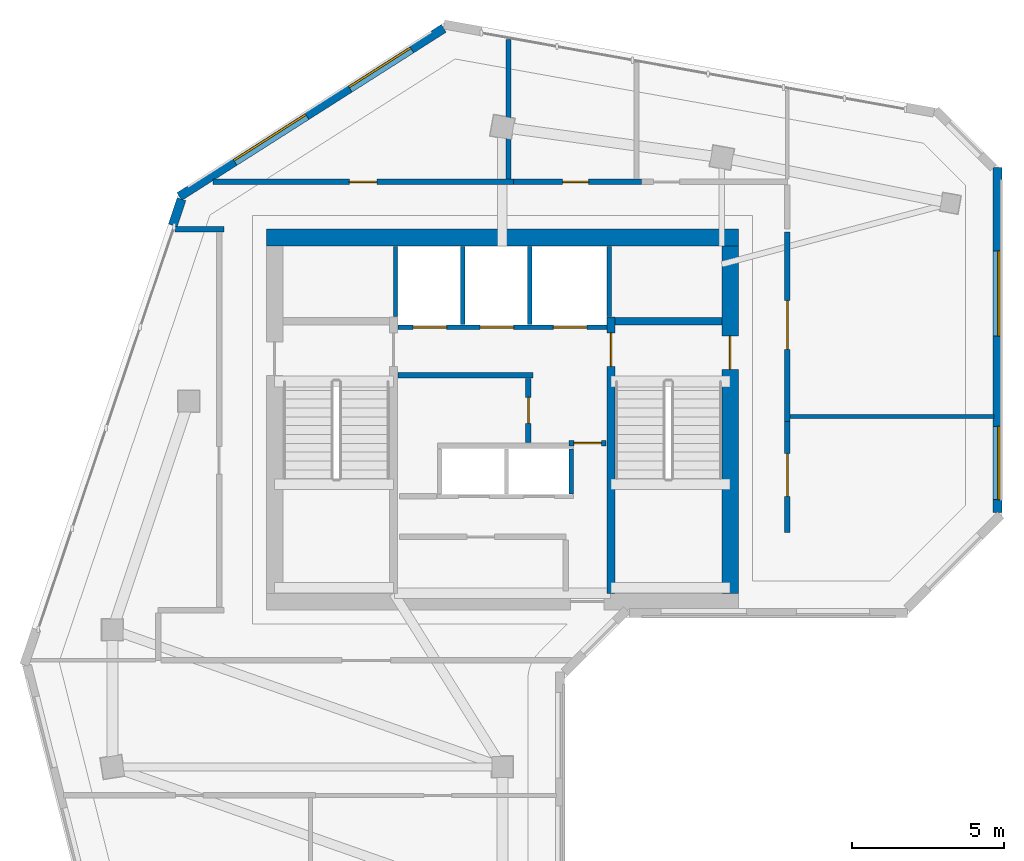
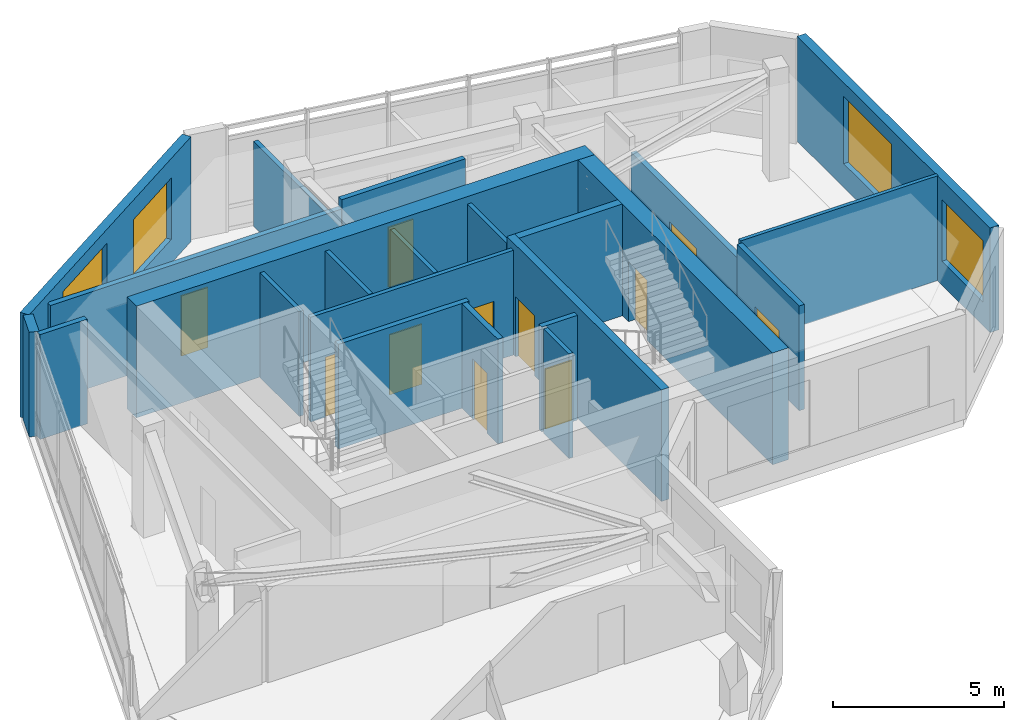
# One storey, part 4 of 8: 23 walls, 11 doors, 4 windows, 15 openings.
"""IFC4 building model written with IfcOpenShell, lengths in metres."""

from ifc_helpers import new_model, si_unit, direction, frame, frame_2d, origin, place, context, subcontext, project, spatial, rectangle, extrude, source, transform, mapped, material, layer, layer_set, type_object, element, fill, save


model = new_model("IFC4")

# Units and contexts
model_context = context("Model", 3, precision=1e-05, world=origin(), true_north=direction((0.0, 1.0)))
body_context = subcontext(model_context, "Body", "Model", "MODEL_VIEW")
ifc_project = project(units=[si_unit("LENGTHUNIT", "METRE"), si_unit("AREAUNIT", "SQUARE_METRE"), si_unit("VOLUMEUNIT", "CUBIC_METRE"), si_unit("PLANEANGLEUNIT", "RADIAN"), si_unit("MASSUNIT", "GRAM", prefix="KILO")], contexts=[model_context])

# Site, building, storey
site_placement = place(None, origin())
site = spatial("IfcSite", under=ifc_project, at=site_placement, CompositionType="ELEMENT")
building_placement = place(site_placement, origin())
building = spatial("IfcBuilding", under=site, at=building_placement, Name="Calvemar Wedge Station Tower", CompositionType="ELEMENT")
storey_placement = place(building_placement, frame((0.0, 0.0, 296.5)))
storey = spatial("IfcBuildingStorey", under=building, at=storey_placement, Name="L76", CompositionType="ELEMENT", Elevation=296.5)

# Wall, opening, door
ifc_material_1 = material(Name="Concrete C50", Category="concrete")
ifc_layer_1 = layer(ifc_material_1, 0.260009765625)
ifc_layer_set_1 = layer_set([ifc_layer_1], Name="Concrete C50")
wall_type_1 = type_object("IfcWallType", Name="SW-CORE-260", PredefinedType="SHEAR", material=ifc_layer_set_1)
wall_1_placement = place(storey_placement, frame((27.3701171875, 34.199951171875, 0.0), z_axis=(0.0, 0.0, 1.0), x_axis=(0.0, 1.0, 0.0)))
wall_1 = element("IfcWall", 1, at=wall_1_placement, inside=storey, type_object=wall_type_1, Name="Storey L76 Core Shear Wall SPINE-E", PredefinedType="SHEAR", context=body_context, shape_type="SweptSolid", body=[
    extrude(rectangle(XDim=9.06005859375, YDim=0.260009765625, at=frame_2d((4.530029296875, 0.0))), origin(), (0.0, 0.0, 1.0), 4.0),
])
shared_shape_1 = source(origin(), body_context, "Body", "SweptSolid", [
    extrude(rectangle(XDim=1.10009765625, YDim=2.14990234375, at=frame_2d((0.550048828125, 1.074951171875))), frame((0.0, 0.14013671875, 0.0), z_axis=(0.0, -1.0, 0.0), x_axis=(1.0, 0.0, 0.0)), (0.0, 0.0, 1.0), 0.280029296875),
])
opening_1_placement = place(wall_1_placement, frame((7.449951171875, 0.0, 0.0)))
opening_1 = element("IfcOpeningElement", 2, at=opening_1_placement, cuts=wall_1, Name="Opening FD-90", PredefinedType="OPENING", context=body_context, shape_type="MappedRepresentation", body=[
    mapped(shared_shape_1, transform((0.0, 0.0, 0.0), scale=1.0)),
])
ifc_material_2 = material(Name="Galvanized fire-rated steel door leaf P-90", Category="steel")
door_type_1 = type_object("IfcDoorType", Name="DR-FD90-1100", OperationType="NOTDEFINED", PredefinedType="DOOR", material=ifc_material_2)
shared_shape_2 = source(origin(), body_context, "Body", "SweptSolid", [
    extrude(rectangle(XDim=1.10009765625, YDim=2.14990234375, at=frame_2d((0.550048828125, 1.074951171875))), frame((0.0, 0.02490234375, 0.0), z_axis=(0.0, -1.0, 0.0), x_axis=(1.0, 0.0, 0.0)), (0.0, 0.0, 1.0), 0.050048828125),
])
door_1_placement = place(opening_1_placement, origin())
door_1 = element("IfcDoor", 3, at=door_1_placement, inside=storey, type_object=door_type_1, Name="L76 FF Lobby to Stair ST-C2 Door", OperationType="SINGLE_SWING_LEFT", OverallHeight=2.14990234375, OverallWidth=1.10009765625, PredefinedType="DOOR", context=body_context, shape_type="MappedRepresentation", body=[
    mapped(shared_shape_2, transform((0.0, 0.0, 0.0), scale=1.0)),
])
fill(opening_1, door_1)

# Walls
wall_2_placement = place(storey_placement, frame((27.5, 43.1298828125, 0.0), z_axis=(0.0, 0.0, 1.0), x_axis=(1.0, 0.0, 0.0)))
element("IfcWall", 4, at=wall_2_placement, inside=storey, type_object=wall_type_1, Name="Storey L76 Core Shear Wall STC2-N", PredefinedType="SHEAR", context=body_context, shape_type="SweptSolid", body=[
    extrude(rectangle(XDim=3.5, YDim=0.260009765625, at=frame_2d((1.75, 0.0))), origin(), (0.0, 0.0, 1.0), 4.0),
])
ifc_material_3 = material(Name="Concrete C60", Category="concrete")
ifc_layer_2 = layer(ifc_material_3, 0.550048828125)
ifc_layer_set_2 = layer_set([ifc_layer_2], Name="Concrete C60")
wall_type_2 = type_object("IfcWallType", Name="SW-CORE-550", PredefinedType="SHEAR", material=ifc_layer_set_2)
wall_3_placement = place(storey_placement, frame((16.050048828125, 45.875, 0.0), z_axis=(0.0, 0.0, 1.0), x_axis=(1.0, 0.0, 0.0)))
element("IfcWall", 5, at=wall_3_placement, inside=storey, type_object=wall_type_2, Name="Storey L76 Core Shear Wall N", PredefinedType="SHEAR", context=body_context, shape_type="SweptSolid", body=[
    extrude(rectangle(XDim=15.5, YDim=0.550048828125, at=frame_2d((7.75, 0.0))), origin(), (0.0, 0.0, 1.0), 4.0),
])

# Wall, opening, door
wall_4_placement = place(storey_placement, frame((31.27490234375, 34.199951171875, 0.0), z_axis=(0.0, 0.0, 1.0), x_axis=(0.0, 1.0, 0.0)))
wall_4 = element("IfcWall", 6, at=wall_4_placement, inside=storey, type_object=wall_type_2, Name="Storey L76 Core Shear Wall E", PredefinedType="SHEAR", context=body_context, shape_type="SweptSolid", body=[
    extrude(rectangle(XDim=11.400146484375, YDim=0.550048828125, at=frame_2d((5.7001953125, 0.0))), origin(), (0.0, 0.0, 1.0), 4.0),
])
shared_shape_3 = source(origin(), body_context, "Body", "SweptSolid", [
    extrude(rectangle(XDim=1.10009765625, YDim=2.14990234375, at=frame_2d((0.550048828125, 1.074951171875))), frame((0.0, 0.28515625, 0.0), z_axis=(0.0, -1.0, 0.0), x_axis=(1.0, 0.0, 0.0)), (0.0, 0.0, 1.0), 0.570068359375),
])
opening_2_placement = place(wall_4_placement, frame((7.35009765625, 0.0, 0.0)))
opening_2 = element("IfcOpeningElement", 7, at=opening_2_placement, cuts=wall_4, Name="Opening FD-90", PredefinedType="OPENING", context=body_context, shape_type="MappedRepresentation", body=[
    mapped(shared_shape_3, transform((0.0, 0.0, 0.0), scale=1.0)),
])
door_2_placement = place(opening_2_placement, origin())
door_2 = element("IfcDoor", 8, at=door_2_placement, inside=storey, type_object=door_type_1, Name="L76 East Corridor to Exit Stair ST-C2 Door", OperationType="SINGLE_SWING_LEFT", OverallHeight=2.14990234375, OverallWidth=1.10009765625, PredefinedType="DOOR", context=body_context, shape_type="MappedRepresentation", body=[
    mapped(shared_shape_2, transform((0.0, 0.0, 0.0), scale=1.0)),
])
fill(opening_2, door_2)

# Wall
ifc_material_4 = material(Name="Double-stud fire-rated corridor partition")
ifc_layer_3 = layer(ifc_material_4, 0.179931640625)
ifc_layer_set_3 = layer_set([ifc_layer_3], Name="Double-stud fire-rated corridor partition")
wall_type_3 = type_object("IfcWallType", Name="W-CORR-180", PredefinedType="PARTITIONING", material=ifc_layer_set_3)
wall_5_placement = place(storey_placement, frame((24.81005859375, 41.35009765625, 0.0), z_axis=(0.0, 0.0, 1.0), x_axis=(-1.0, 0.0, 0.0)))
element("IfcWall", 9, at=wall_5_placement, inside=storey, type_object=wall_type_3, Name="Storey L76 Interior Partition WL-L76-001", PredefinedType="PARTITIONING", context=body_context, shape_type="SweptSolid", body=[
    extrude(rectangle(XDim=4.43017578125, YDim=0.179931640625, at=frame_2d((2.215087890625, 0.0))), origin(), (0.0, 0.0, 1.0), 3.75),
])

# Wall, opening, door
wall_6_placement = place(storey_placement, frame((24.64990234375, 41.256103515625, 0.0), z_axis=(0.0, 0.0, 1.0), x_axis=(0.0, -1.0, 0.0)))
wall_6 = element("IfcWall", 10, at=wall_6_placement, inside=storey, type_object=wall_type_3, Name="Storey L76 Interior Partition WL-L76-002", PredefinedType="PARTITIONING", context=body_context, shape_type="SweptSolid", body=[
    extrude(rectangle(XDim=2.106201171875, YDim=0.179931640625, at=frame_2d((1.05322265625, 0.0))), origin(), (0.0, 0.0, 1.0), 3.75),
])
shared_shape_4 = source(origin(), body_context, "Body", "SweptSolid", [
    extrude(rectangle(XDim=0.85009765625, YDim=2.14990234375, at=frame_2d((0.425048828125, 1.074951171875))), frame((0.0, 0.10009765625, 0.0), z_axis=(0.0, -1.0, 0.0), x_axis=(1.0, 0.0, 0.0)), (0.0, 0.0, 1.0), 0.199951171875),
])
opening_3_placement = place(wall_6_placement, frame((0.6279296875, 0.0, 0.0)))
opening_3 = element("IfcOpeningElement", 11, at=opening_3_placement, cuts=wall_6, Name="Opening FD-60S", PredefinedType="OPENING", context=body_context, shape_type="MappedRepresentation", body=[
    mapped(shared_shape_4, transform((0.0, 0.0, 0.0), scale=1.0)),
])
ifc_material_5 = material(Name="Fire-rated steel and hardwood service door EI 60", Category="steel")
door_type_2 = type_object("IfcDoorType", Name="DR-CORE-FD60-850", OperationType="NOTDEFINED", PredefinedType="DOOR", material=ifc_material_5)
shared_shape_5 = source(origin(), body_context, "Body", "SweptSolid", [
    extrude(rectangle(XDim=0.85009765625, YDim=2.14990234375, at=frame_2d((0.425048828125, 1.074951171875))), frame((0.0, 0.02490234375, 0.0), z_axis=(0.0, -1.0, 0.0), x_axis=(1.0, 0.0, 0.0)), (0.0, 0.0, 1.0), 0.050048828125),
])
door_3_placement = place(opening_3_placement, origin())
door_3 = element("IfcDoor", 12, at=door_3_placement, inside=storey, type_object=door_type_2, Name="L76 Cleaner and Linen Store Door", OperationType="SINGLE_SWING_LEFT", OverallHeight=2.14990234375, OverallWidth=0.85009765625, PredefinedType="DOOR", context=body_context, shape_type="MappedRepresentation", body=[
    mapped(shared_shape_5, transform((0.0, 0.0, 0.0), scale=1.0)),
])
fill(opening_3, door_3)

wall_7_placement = place(storey_placement, frame((27.199951171875, 39.1298828125, 0.0), z_axis=(0.0, 0.0, 1.0), x_axis=(-1.0, 0.0, 0.0)))
wall_7 = element("IfcWall", 13, at=wall_7_placement, inside=storey, type_object=wall_type_3, Name="Storey L76 Interior Partition WL-L76-004", PredefinedType="PARTITIONING", context=body_context, shape_type="SweptSolid", body=[
    extrude(rectangle(XDim=1.2099609375, YDim=0.179931640625, at=frame_2d((0.60498046875, 0.0))), origin(), (0.0, 0.0, 1.0), 3.75),
])
shared_shape_6 = source(origin(), body_context, "Body", "SweptSolid", [
    extrude(rectangle(XDim=0.89990234375, YDim=2.14990234375, at=frame_2d((0.449951171875, 1.074951171875))), frame((0.0, 0.10009765625, 0.0), z_axis=(0.0, -1.0, 0.0), x_axis=(1.0, 0.0, 0.0)), (0.0, 0.0, 1.0), 0.199951171875),
])
opening_4_placement = place(wall_7_placement, frame((0.155029296875, 0.0, 0.0)))
opening_4 = element("IfcOpeningElement", 14, at=opening_4_placement, cuts=wall_7, Name="Opening FD-60", PredefinedType="OPENING", context=body_context, shape_type="MappedRepresentation", body=[
    mapped(shared_shape_6, transform((0.0, 0.0, 0.0), scale=1.0)),
])
ifc_material_6 = material(Name="Fire-rated acoustic timber-core entrance door EI 60", Category="wood")
door_type_3 = type_object("IfcDoorType", Name="DR-FD60-900", OperationType="NOTDEFINED", PredefinedType="DOOR", material=ifc_material_6)
shared_shape_7 = source(origin(), body_context, "Body", "SweptSolid", [
    extrude(rectangle(XDim=0.89990234375, YDim=2.14990234375, at=frame_2d((0.449951171875, 1.074951171875))), frame((0.0, 0.02490234375, 0.0), z_axis=(0.0, -1.0, 0.0), x_axis=(1.0, 0.0, 0.0)), (0.0, 0.0, 1.0), 0.050048828125),
])
door_4_placement = place(opening_4_placement, origin())
door_4 = element("IfcDoor", 15, at=door_4_placement, inside=storey, type_object=door_type_3, Name="L76 Core Service Lobby Door", OperationType="SINGLE_SWING_RIGHT", OverallHeight=2.14990234375, OverallWidth=0.89990234375, PredefinedType="DOOR", context=body_context, shape_type="MappedRepresentation", body=[
    mapped(shared_shape_7, transform((0.0, 0.0, 0.0), scale=1.0)),
])
fill(opening_4, door_4)

# Wall
wall_8_placement = place(storey_placement, frame((14.659912109375, 46.14990234375, 0.0), z_axis=(0.0, 0.0, 1.0), x_axis=(-1.0, 0.0, 0.0)))
element("IfcWall", 16, at=wall_8_placement, inside=storey, type_object=wall_type_3, Name="Storey L76 Interior Partition WL-L76-011", PredefinedType="PARTITIONING", context=body_context, shape_type="SweptSolid", body=[
    extrude(rectangle(XDim=1.602294921875, YDim=0.179931640625, at=frame_2d((0.80126953125, 0.0))), origin(), (0.0, 0.0, 1.0), 3.75),
])

# Wall, opening, door
wall_9_placement = place(storey_placement, frame((14.29541015625, 47.699951171875, 0.0), z_axis=(0.0, 0.0, 1.0), x_axis=(1.0, 0.0, 0.0)))
wall_9 = element("IfcWall", 17, at=wall_9_placement, inside=storey, type_object=wall_type_3, Name="Storey L76 Interior Partition WL-L76-012", PredefinedType="PARTITIONING", context=body_context, shape_type="SweptSolid", body=[
    extrude(rectangle(XDim=9.864501953125, YDim=0.179931640625, at=frame_2d((4.93212890625, 0.0))), origin(), (0.0, 0.0, 1.0), 3.4189453125),
])
opening_5_placement = place(wall_9_placement, frame((4.482421875, 0.0, 0.0)))
opening_5 = element("IfcOpeningElement", 18, at=opening_5_placement, cuts=wall_9, Name="Opening D-01", PredefinedType="OPENING", context=body_context, shape_type="MappedRepresentation", body=[
    mapped(shared_shape_6, transform((0.0, 0.0, 0.0), scale=1.0)),
])
ifc_material_7 = material(Name="Architectural hardwood acoustic swing door", Category="wood")
door_type_4 = type_object("IfcDoorType", Name="DR-INT-900", OperationType="NOTDEFINED", PredefinedType="DOOR", material=ifc_material_7)
shared_shape_8 = source(origin(), body_context, "Body", "SweptSolid", [
    extrude(rectangle(XDim=0.89990234375, YDim=2.14990234375, at=frame_2d((0.449951171875, 1.074951171875))), frame((0.0, 0.02490234375, 0.0), z_axis=(0.0, -1.0, 0.0), x_axis=(1.0, 0.0, 0.0)), (0.0, 0.0, 1.0), 0.050048828125),
])
door_5_placement = place(opening_5_placement, origin())
door_5 = element("IfcDoor", 19, at=door_5_placement, inside=storey, type_object=door_type_4, Name="L76 Summit VIP Boardroom Door", OperationType="SINGLE_SWING_LEFT", OverallHeight=2.14990234375, OverallWidth=0.89990234375, PredefinedType="DOOR", context=body_context, shape_type="MappedRepresentation", body=[
    mapped(shared_shape_8, transform((0.0, 0.0, 0.0), scale=1.0)),
])
fill(opening_5, door_5)

wall_10_placement = place(storey_placement, frame((24.162109375, 47.699951171875, 0.0), z_axis=(0.0, 0.0, 1.0), x_axis=(1.0, 0.0, 0.0)))
wall_10 = element("IfcWall", 20, at=wall_10_placement, inside=storey, type_object=wall_type_3, Name="Storey L76 Interior Partition WL-L76-013", PredefinedType="PARTITIONING", context=body_context, shape_type="SweptSolid", body=[
    extrude(rectangle(XDim=4.197998046875, YDim=0.179931640625, at=frame_2d((2.09912109375, 0.0))), origin(), (0.0, 0.0, 1.0), 3.75),
])
opening_6_placement = place(wall_10_placement, frame((1.61328125, 0.0, 0.0)))
opening_6 = element("IfcOpeningElement", 21, at=opening_6_placement, cuts=wall_10, Name="Opening D-02", PredefinedType="OPENING", context=body_context, shape_type="MappedRepresentation", body=[
    mapped(shared_shape_4, transform((0.0, 0.0, 0.0), scale=1.0)),
])
ifc_material_8 = material(Name="Moisture-sealed bathroom hardwood swing door", Category="wood")
door_type_5 = type_object("IfcDoorType", Name="DR-WET-850", OperationType="NOTDEFINED", PredefinedType="DOOR", material=ifc_material_8)
shared_shape_9 = source(origin(), body_context, "Body", "SweptSolid", [
    extrude(rectangle(XDim=0.85009765625, YDim=2.14990234375, at=frame_2d((0.425048828125, 1.074951171875))), frame((0.0, 0.02490234375, 0.0), z_axis=(0.0, -1.0, 0.0), x_axis=(1.0, 0.0, 0.0)), (0.0, 0.0, 1.0), 0.050048828125),
])
door_6_placement = place(opening_6_placement, origin())
door_6 = element("IfcDoor", 22, at=door_6_placement, inside=storey, type_object=door_type_5, Name="L76 Accessible WC Door", OperationType="SINGLE_SWING_RIGHT", OverallHeight=2.14990234375, OverallWidth=0.85009765625, PredefinedType="DOOR", context=body_context, shape_type="MappedRepresentation", body=[
    mapped(shared_shape_9, transform((0.0, 0.0, 0.0), scale=1.0)),
])
fill(opening_6, door_6)

wall_11_placement = place(storey_placement, frame((33.14990234375, 46.055908203125, 0.0), z_axis=(0.0, 0.0, 1.0), x_axis=(0.0, -1.0, 0.0)))
wall_11 = element("IfcWall", 23, at=wall_11_placement, inside=storey, type_object=wall_type_3, Name="Storey L76 Interior Partition WL-L76-016", PredefinedType="PARTITIONING", context=body_context, shape_type="SweptSolid", body=[
    extrude(rectangle(XDim=6.2158203125, YDim=0.179931640625, at=frame_2d((3.10791015625, 0.0))), origin(), (0.0, 0.0, 1.0), 3.279052734375),
])
shared_shape_10 = source(origin(), body_context, "Body", "SweptSolid", [
    extrude(rectangle(XDim=1.60009765625, YDim=2.14990234375, at=frame_2d((0.800048828125, 1.074951171875))), frame((0.0, 0.10009765625, 0.0), z_axis=(0.0, -1.0, 0.0), x_axis=(1.0, 0.0, 0.0)), (0.0, 0.0, 1.0), 0.199951171875),
])
opening_7_placement = place(wall_11_placement, frame((2.24658203125, 0.0, 0.0)))
opening_7 = element("IfcOpeningElement", 24, at=opening_7_placement, cuts=wall_11, Name="Opening DD-160", PredefinedType="OPENING", context=body_context, shape_type="MappedRepresentation", body=[
    mapped(shared_shape_10, transform((0.0, 0.0, 0.0), scale=1.0)),
])
ifc_material_9 = material(Name="Double-leaf fire-rated lobby door EI 60")
door_type_6 = type_object("IfcDoorType", Name="DR-DBL-1600", OperationType="DOUBLE_DOOR_SINGLE_SWING", PredefinedType="DOOR", material=ifc_material_9)
shared_shape_11 = source(origin(), body_context, "Body", "SweptSolid", [
    extrude(rectangle(XDim=1.60009765625, YDim=2.14990234375, at=frame_2d((0.800048828125, 1.074951171875))), frame((0.0, 0.02490234375, 0.0), z_axis=(0.0, -1.0, 0.0), x_axis=(1.0, 0.0, 0.0)), (0.0, 0.0, 1.0), 0.050048828125),
])
door_7_placement = place(opening_7_placement, origin())
door_7 = element("IfcDoor", 25, at=door_7_placement, inside=storey, type_object=door_type_6, Name="L76 Atlantic Summit Observatory Gallery Door", OperationType="SINGLE_SWING_RIGHT", OverallHeight=2.14990234375, OverallWidth=1.60009765625, PredefinedType="DOOR", context=body_context, shape_type="MappedRepresentation", body=[
    mapped(shared_shape_11, transform((0.0, 0.0, 0.0), scale=1.0)),
])
fill(opening_7, door_7)

wall_12_placement = place(storey_placement, frame((33.14990234375, 39.837890625, 0.0), z_axis=(0.0, 0.0, 1.0), x_axis=(0.0, -1.0, 0.0)))
wall_12 = element("IfcWall", 26, at=wall_12_placement, inside=storey, type_object=wall_type_3, Name="Storey L76 Interior Partition WL-L76-017", PredefinedType="PARTITIONING", context=body_context, shape_type="SweptSolid", body=[
    extrude(rectangle(XDim=3.637939453125, YDim=0.179931640625, at=frame_2d((1.81884765625, 0.0))), origin(), (0.0, 0.0, 1.0), 3.75),
])
shared_shape_12 = source(origin(), body_context, "Body", "SweptSolid", [
    extrude(rectangle(XDim=1.39990234375, YDim=2.14990234375, at=frame_2d((0.699951171875, 1.074951171875))), frame((0.0, 0.10009765625, 0.0), z_axis=(0.0, -1.0, 0.0), x_axis=(1.0, 0.0, 0.0)), (0.0, 0.0, 1.0), 0.199951171875),
])
opening_8_placement = place(wall_12_placement, frame((1.054443359375, 0.0, 0.0)))
opening_8 = element("IfcOpeningElement", 27, at=opening_8_placement, cuts=wall_12, Name="Opening DD-140", PredefinedType="OPENING", context=body_context, shape_type="MappedRepresentation", body=[
    mapped(shared_shape_12, transform((0.0, 0.0, 0.0), scale=1.0)),
])
ifc_material_10 = material(Name="Double-leaf corridor acoustic fire door EI 60")
door_type_7 = type_object("IfcDoorType", Name="DR-DBL-1400", OperationType="DOUBLE_DOOR_SINGLE_SWING", PredefinedType="DOOR", material=ifc_material_10)
shared_shape_13 = source(origin(), body_context, "Body", "SweptSolid", [
    extrude(rectangle(XDim=1.39990234375, YDim=2.14990234375, at=frame_2d((0.699951171875, 1.074951171875))), frame((0.0, 0.02490234375, 0.0), z_axis=(0.0, -1.0, 0.0), x_axis=(1.0, 0.0, 0.0)), (0.0, 0.0, 1.0), 0.050048828125),
])
door_8_placement = place(opening_8_placement, origin())
door_8 = element("IfcDoor", 28, at=door_8_placement, inside=storey, type_object=door_type_7, Name="L76 Observatory Exhibition Shop Door", OperationType="SINGLE_SWING_LEFT", OverallHeight=2.14990234375, OverallWidth=1.39990234375, PredefinedType="DOOR", context=body_context, shape_type="MappedRepresentation", body=[
    mapped(shared_shape_13, transform((0.0, 0.0, 0.0), scale=1.0)),
])
fill(opening_8, door_8)

# Wall, openings, windows
ifc_material_11 = material(Name="Precast concrete C45", Category="concrete")
ifc_layer_4 = layer(ifc_material_11, 0.300048828125)
ifc_layer_set_4 = layer_set([ifc_layer_4], Name="Precast concrete C45")
wall_type_4 = type_object("IfcWallType", Name="W-EXT-GFRC-300", PredefinedType="SOLIDWALL", material=ifc_layer_set_4)
wall_13_placement = place(storey_placement, frame((40.050048828125, 36.857421875, 0.0), z_axis=(0.0, 0.0, 1.0), x_axis=(0.0, 1.0, 0.0)))
wall_13 = element("IfcWall", 29, at=wall_13_placement, inside=storey, type_object=wall_type_4, Name="Storey L76 Bronze GFRC Exterior Wall 8", PredefinedType="SOLIDWALL", context=body_context, shape_type="SweptSolid", body=[
    extrude(rectangle(XDim=11.318359375, YDim=0.300048828125, at=frame_2d((5.6591796875, 0.0))), origin(), (0.0, 0.0, 1.0), 3.75),
])
shared_shape_14 = source(origin(), body_context, "Body", "SweptSolid", [
    extrude(rectangle(XDim=2.39990234375, YDim=2.199951171875, at=frame_2d((1.199951171875, 1.10009765625))), frame((0.0, 0.16015625, 0.0), z_axis=(0.0, -1.0, 0.0), x_axis=(1.0, 0.0, 0.0)), (0.0, 0.0, 1.0), 0.320068359375),
])
opening_9_placement = place(wall_13_placement, frame((0.4208984375, 0.0, 0.85009765625)))
opening_9 = element("IfcOpeningElement", 30, at=opening_9_placement, cuts=wall_13, Name="Opening W1", PredefinedType="OPENING", context=body_context, shape_type="MappedRepresentation", body=[
    mapped(shared_shape_14, transform((0.0, 0.0, 0.0), scale=1.0)),
])
shared_shape_15 = source(origin(), body_context, "Body", "SweptSolid", [
    extrude(rectangle(XDim=2.800048828125, YDim=2.39990234375, at=frame_2d((1.39990234375, 1.199951171875))), frame((0.0, 0.16015625, 0.0), z_axis=(0.0, -1.0, 0.0), x_axis=(1.0, 0.0, 0.0)), (0.0, 0.0, 1.0), 0.320068359375),
])
opening_10_placement = place(wall_13_placement, frame((5.781005859375, 0.0, 0.85009765625)))
opening_10 = element("IfcOpeningElement", 31, at=opening_10_placement, cuts=wall_13, Name="Opening W6", PredefinedType="OPENING", context=body_context, shape_type="MappedRepresentation", body=[
    mapped(shared_shape_15, transform((0.0, 0.0, 0.0), scale=1.0)),
])
ifc_material_12 = material(Name="Low-E laminated insulated glass", Category="glass")
window_type_1 = type_object("IfcWindowType", Name="WIN-EXT-6", PartitioningType="SINGLE_PANEL", PredefinedType="WINDOW", material=ifc_material_12)
shared_shape_16 = source(origin(), body_context, "Body", "SweptSolid", [
    extrude(rectangle(XDim=2.800048828125, YDim=2.39990234375, at=frame_2d((1.39990234375, 1.199951171875))), frame((0.0, -0.014892578125, 0.0), z_axis=(0.0, -1.0, 0.0), x_axis=(1.0, 0.0, 0.0)), (0.0, 0.0, 1.0), 0.06005859375),
])
window_1_placement = place(opening_10_placement, origin())
window_1 = element("IfcWindow", 32, at=window_1_placement, inside=storey, type_object=window_type_1, Name="Storey L76 Recessed Window 8.2", OverallHeight=2.39990234375, OverallWidth=2.800048828125, PartitioningType="SINGLE_PANEL", PredefinedType="WINDOW", context=body_context, shape_type="MappedRepresentation", body=[
    mapped(shared_shape_16, transform((0.0, 0.0, 0.0), scale=1.0)),
])
fill(opening_10, window_1)
window_type_2 = type_object("IfcWindowType", Name="WIN-EXT-1", PartitioningType="SINGLE_PANEL", PredefinedType="WINDOW", material=ifc_material_12)
shared_shape_17 = source(origin(), body_context, "Body", "SweptSolid", [
    extrude(rectangle(XDim=2.39990234375, YDim=2.199951171875, at=frame_2d((1.199951171875, 1.10009765625))), frame((0.0, -0.014892578125, 0.0), z_axis=(0.0, -1.0, 0.0), x_axis=(1.0, 0.0, 0.0)), (0.0, 0.0, 1.0), 0.06005859375),
])
window_2_placement = place(opening_9_placement, origin())
window_2 = element("IfcWindow", 33, at=window_2_placement, inside=storey, type_object=window_type_2, Name="Storey L76 Recessed Window 8.1", OverallHeight=2.199951171875, OverallWidth=2.39990234375, PartitioningType="SINGLE_PANEL", PredefinedType="WINDOW", context=body_context, shape_type="MappedRepresentation", body=[
    mapped(shared_shape_17, transform((0.0, 0.0, 0.0), scale=1.0)),
])
fill(opening_9, window_2)

wall_14_placement = place(storey_placement, frame((21.872802734375, 52.7412109375, 0.0), z_axis=(0.0, 0.0, 1.0), x_axis=(-0.843661487732, -0.536875492193, 0.0)))
wall_14 = element("IfcWall", 34, at=wall_14_placement, inside=storey, type_object=wall_type_4, Name="Storey L76 Bronze GFRC Exterior Wall 11", PredefinedType="SOLIDWALL", context=body_context, shape_type="SweptSolid", body=[
    extrude(rectangle(XDim=10.28173828125, YDim=0.300048828125, at=frame_2d((5.140869140625, 0.0))), origin(), (0.0, 0.0, 1.0), 3.75),
])
opening_11_placement = place(wall_14_placement, frame((1.260009765625, 0.0, 0.85009765625)))
opening_11 = element("IfcOpeningElement", 35, at=opening_11_placement, cuts=wall_14, Name="Opening W1", PredefinedType="OPENING", context=body_context, shape_type="MappedRepresentation", body=[
    mapped(shared_shape_14, transform((0.0, 0.0, 0.0), scale=1.0)),
])
opening_12_placement = place(wall_14_placement, frame((5.339111328125, 0.0, 0.85009765625)))
opening_12 = element("IfcOpeningElement", 36, at=opening_12_placement, cuts=wall_14, Name="Opening W6", PredefinedType="OPENING", context=body_context, shape_type="MappedRepresentation", body=[
    mapped(shared_shape_15, transform((0.0, 0.0, 0.0), scale=1.0)),
])
window_3_placement = place(opening_12_placement, origin())
window_3 = element("IfcWindow", 37, at=window_3_placement, inside=storey, type_object=window_type_1, Name="Storey L76 Recessed Window 11.2", OverallHeight=2.39990234375, OverallWidth=2.800048828125, PartitioningType="SINGLE_PANEL", PredefinedType="WINDOW", context=body_context, shape_type="MappedRepresentation", body=[
    mapped(shared_shape_16, transform((0.0, 0.0, 0.0), scale=1.0)),
])
fill(opening_12, window_3)
window_4_placement = place(opening_11_placement, origin())
window_4 = element("IfcWindow", 38, at=window_4_placement, inside=storey, type_object=window_type_2, Name="Storey L76 Recessed Window 11.1", OverallHeight=2.199951171875, OverallWidth=2.39990234375, PartitioningType="SINGLE_PANEL", PredefinedType="WINDOW", context=body_context, shape_type="MappedRepresentation", body=[
    mapped(shared_shape_17, transform((0.0, 0.0, 0.0), scale=1.0)),
])
fill(opening_11, window_4)

# Wall
wall_15_placement = place(storey_placement, frame((13.2685546875, 47.1337890625, 0.0), z_axis=(0.0, 0.0, 1.0), x_axis=(-0.31995770778, -0.947431826166, 0.0)))
element("IfcWall", 39, at=wall_15_placement, inside=storey, type_object=wall_type_4, Name="Storey L76 Bronze GFRC Corner Pier 12A", PredefinedType="SOLIDWALL", context=body_context, shape_type="SweptSolid", body=[
    extrude(rectangle(XDim=0.902587890625, YDim=0.300048828125, at=frame_2d((0.451171875, 0.0))), origin(), (0.0, 0.0, 1.0), 3.75),
])

# Wall, openings, doors
ifc_material_13 = material(Name="Reinforced concrete blockwork lift shaft wall", Category="masonry")
ifc_layer_5 = layer(ifc_material_13, 0.139892578125)
ifc_layer_set_5 = layer_set([ifc_layer_5], Name="Reinforced concrete blockwork lift shaft wall")
wall_type_5 = type_object("IfcWallType", Name="W-LIFT-160", PredefinedType="SOLIDWALL", material=ifc_layer_set_5)
wall_16_placement = place(storey_placement, frame((20.3701171875, 42.929931640625, 0.0), z_axis=(0.0, 0.0, 1.0), x_axis=(1.0, 0.0, 0.0)))
wall_16 = element("IfcWall", 40, at=wall_16_placement, inside=storey, type_object=wall_type_5, Name="Storey L76 Firefighting and Service Lift Shaft Front Wall", PredefinedType="SOLIDWALL", context=body_context, shape_type="SweptSolid", body=[
    extrude(rectangle(XDim=6.85986328125, YDim=0.139892578125, at=frame_2d((3.429931640625, 0.0))), origin(), (0.0, 0.0, 1.0), 3.75),
])
shared_shape_18 = source(origin(), body_context, "Body", "SweptSolid", [
    extrude(rectangle(XDim=1.10009765625, YDim=2.14990234375, at=frame_2d((0.550048828125, 1.074951171875))), frame((0.0, 0.080078125, 0.0), z_axis=(0.0, -1.0, 0.0), x_axis=(1.0, 0.0, 0.0)), (0.0, 0.0, 1.0), 0.159912109375),
])
opening_13_placement = place(wall_16_placement, frame((0.5, 0.0, 0.0)))
opening_13 = element("IfcOpeningElement", 41, at=opening_13_placement, cuts=wall_16, Name="Opening LD-FF", PredefinedType="OPENING", context=body_context, shape_type="MappedRepresentation", body=[
    mapped(shared_shape_18, transform((0.0, 0.0, 0.0), scale=1.0)),
])
opening_14_placement = place(wall_16_placement, frame((2.699951171875, 0.0, 0.0)))
opening_14 = element("IfcOpeningElement", 42, at=opening_14_placement, cuts=wall_16, Name="Opening LD-FF", PredefinedType="OPENING", context=body_context, shape_type="MappedRepresentation", body=[
    mapped(shared_shape_18, transform((0.0, 0.0, 0.0), scale=1.0)),
])
opening_15_placement = place(wall_16_placement, frame((5.10009765625, 0.0, 0.0)))
opening_15 = element("IfcOpeningElement", 43, at=opening_15_placement, cuts=wall_16, Name="Opening LD-STN", PredefinedType="OPENING", context=body_context, shape_type="MappedRepresentation", body=[
    mapped(shared_shape_18, transform((0.0, 0.0, 0.0), scale=1.0)),
])
ifc_material_14 = material(Name="Stainless steel firefighting lift sliding landing door", Category="steel")
door_type_8 = type_object("IfcDoorType", Name="DR-LD-FF-1100", OperationType="SLIDING_TO_LEFT", PredefinedType="DOOR", material=ifc_material_14)
shared_shape_19 = source(origin(), body_context, "Body", "SweptSolid", [
    extrude(rectangle(XDim=1.10009765625, YDim=2.14990234375, at=frame_2d((0.550048828125, 1.074951171875))), frame((0.0, 0.02490234375, 0.0), z_axis=(0.0, -1.0, 0.0), x_axis=(1.0, 0.0, 0.0)), (0.0, 0.0, 1.0), 0.050048828125),
])
door_9_placement = place(opening_13_placement, origin())
door_9 = element("IfcDoor", 44, at=door_9_placement, inside=storey, type_object=door_type_8, Name="L76 Lift FF-01 Sliding Landing Door", OperationType="SLIDING_TO_LEFT", OverallHeight=2.14990234375, OverallWidth=1.10009765625, PredefinedType="DOOR", context=body_context, shape_type="MappedRepresentation", body=[
    mapped(shared_shape_19, transform((0.0, 0.0, 0.0), scale=1.0)),
])
fill(opening_13, door_9)
door_10_placement = place(opening_14_placement, origin())
door_10 = element("IfcDoor", 45, at=door_10_placement, inside=storey, type_object=door_type_8, Name="L76 Lift FF-02 Sliding Landing Door", OperationType="SLIDING_TO_RIGHT", OverallHeight=2.14990234375, OverallWidth=1.10009765625, PredefinedType="DOOR", context=body_context, shape_type="MappedRepresentation", body=[
    mapped(shared_shape_19, transform((0.0, 0.0, 0.0), scale=1.0)),
])
fill(opening_14, door_10)
ifc_material_15 = material(Name="Stainless steel transit lift sliding landing door", Category="steel")
door_type_9 = type_object("IfcDoorType", Name="DR-LD-PAX-1100", OperationType="SLIDING_TO_LEFT", PredefinedType="DOOR", material=ifc_material_15)
shared_shape_20 = source(origin(), body_context, "Body", "SweptSolid", [
    extrude(rectangle(XDim=1.10009765625, YDim=2.14990234375, at=frame_2d((0.550048828125, 1.074951171875))), frame((0.0, 0.02490234375, 0.0), z_axis=(0.0, -1.0, 0.0), x_axis=(1.0, 0.0, 0.0)), (0.0, 0.0, 1.0), 0.050048828125),
])
door_11_placement = place(opening_15_placement, origin())
door_11 = element("IfcDoor", 46, at=door_11_placement, inside=storey, type_object=door_type_9, Name="L76 Lift SV-01 Sliding Landing Door", OperationType="SLIDING_TO_LEFT", OverallHeight=2.14990234375, OverallWidth=1.10009765625, PredefinedType="DOOR", context=body_context, shape_type="MappedRepresentation", body=[
    mapped(shared_shape_20, transform((0.0, 0.0, 0.0), scale=1.0)),
])
fill(opening_15, door_11)

# Walls
for number, where, z_axis, x_axis, name in (
    (47, (20.2900390625, 43.280029296875, 0.0), (0.0, 0.0, 1.0), (0.0, 1.0, 0.0), "Storey L76 Firefighting Lift Shaft Enclosure Wall W"),
    (48, (27.31005859375, 43.280029296875, 0.0), (0.0, 0.0, 1.0), (0.0, 1.0, 0.0), "Storey L76 Firefighting Lift Shaft Enclosure Wall E"),
):
    element("IfcWall", number, at=place(storey_placement, frame(where, z_axis=z_axis, x_axis=x_axis)), inside=storey, type_object=wall_type_5, Name=name, PredefinedType="SOLIDWALL", context=body_context, shape_type="SweptSolid", body=[
        extrude(rectangle(XDim=2.300048828125, YDim=0.139892578125, at=frame_2d((1.14990234375, 0.0))), origin(), (0.0, 0.0, 1.0), 3.75),
    ])
for number, where, z_axis, x_axis, name in (
    (49, (22.5, 43.02001953125, 0.0), (0.0, 0.0, 1.0), (0.0, 1.0, 0.0), "Storey L76 Firefighting Lift Shaft Enclosure Wall D1"),
    (50, (24.699951171875, 43.02001953125, 0.0), (0.0, 0.0, 1.0), (0.0, 1.0, 0.0), "Storey L76 Firefighting Lift Shaft Enclosure Wall D2"),
):
    element("IfcWall", number, at=place(storey_placement, frame(where, z_axis=z_axis, x_axis=x_axis)), inside=storey, type_object=wall_type_5, Name=name, PredefinedType="SOLIDWALL", context=body_context, shape_type="SweptSolid", body=[
        extrude(rectangle(XDim=2.56005859375, YDim=0.139892578125, at=frame_2d((1.280029296875, 0.0))), origin(), (0.0, 0.0, 1.0), 3.75),
    ])
wall_17_placement = place(storey_placement, frame((26.06005859375, 37.4599609375, 0.0), z_axis=(0.0, 0.0, 1.0), x_axis=(0.0, 1.0, 0.0)))
element("IfcWall", 51, at=wall_17_placement, inside=storey, type_object=wall_type_5, Name="Storey L76 Upper Passenger Lift Shaft Wall E", PredefinedType="SOLIDWALL", context=body_context, shape_type="SweptSolid", body=[
    extrude(rectangle(XDim=1.47998046875, YDim=0.139892578125, at=frame_2d((0.739990234375, 0.0))), origin(), (0.0, 0.0, 1.0), 3.75),
])
ifc_material_16 = material(Name="Insulated acoustic gypsum stud partition")
ifc_layer_6 = layer(ifc_material_16, 0.125)
ifc_layer_set_6 = layer_set([ifc_layer_6], Name="Insulated acoustic gypsum stud partition")
wall_type_6 = type_object("IfcWallType", Name="W-PART-125", PredefinedType="PARTITIONING", material=ifc_layer_set_6)
wall_18_placement = place(storey_placement, frame((39.93505859375, 40.0, 0.0), z_axis=(0.0, 0.0, 1.0), x_axis=(-1.0, 0.0, 0.0)))
element("IfcWall", 52, at=wall_18_placement, inside=storey, type_object=wall_type_6, Name="Storey L76 Interior Partition WL-L76-022", PredefinedType="PARTITIONING", context=body_context, shape_type="SweptSolid", body=[
    extrude(rectangle(XDim=6.691162109375, YDim=0.125, at=frame_2d((3.345703125, 0.0))), origin(), (0.0, 0.0, 1.0), 3.75),
])
ifc_material_17 = material(Name="Moisture-resistant acoustic bathroom partition")
ifc_layer_7 = layer(ifc_material_17, 0.14990234375)
ifc_layer_set_7 = layer_set([ifc_layer_7], Name="Moisture-resistant acoustic bathroom partition")
wall_type_7 = type_object("IfcWallType", Name="W-WET-150", PredefinedType="PARTITIONING", material=ifc_layer_set_7)
wall_19_placement = place(storey_placement, frame((24.0, 52.37109375, 0.0), z_axis=(0.0, 0.0, 1.0), x_axis=(0.0, -1.0, 0.0)))
element("IfcWall", 53, at=wall_19_placement, inside=storey, type_object=wall_type_7, Name="Storey L76 Interior Partition WL-L76-019", PredefinedType="PARTITIONING", context=body_context, shape_type="SweptSolid", body=[
    extrude(rectangle(XDim=4.5771484375, YDim=0.14990234375, at=frame_2d((2.28857421875, 0.0))), origin(), (0.0, 0.0, 1.0), 3.0419921875),
])

save(model, "model.ifc")
